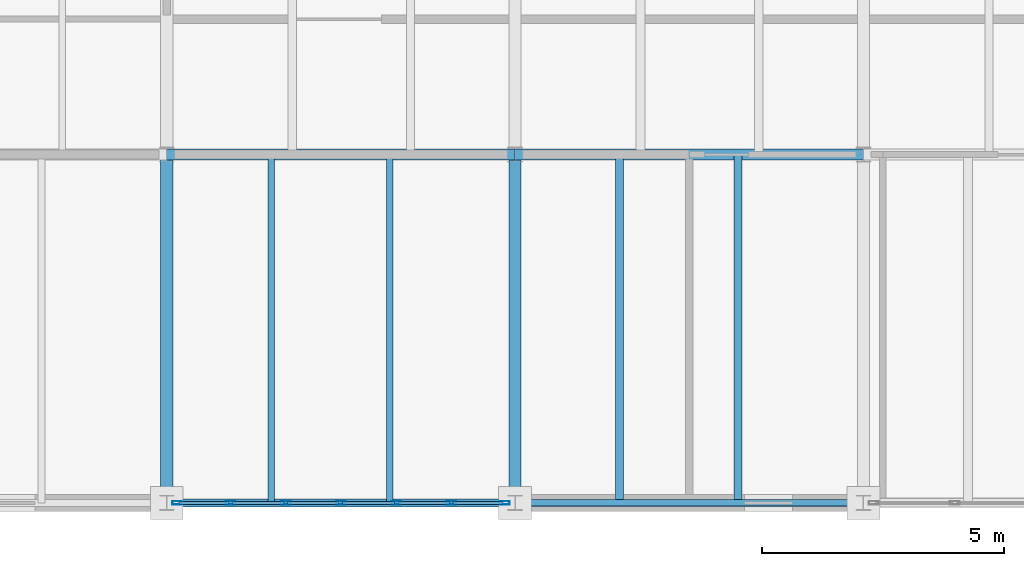
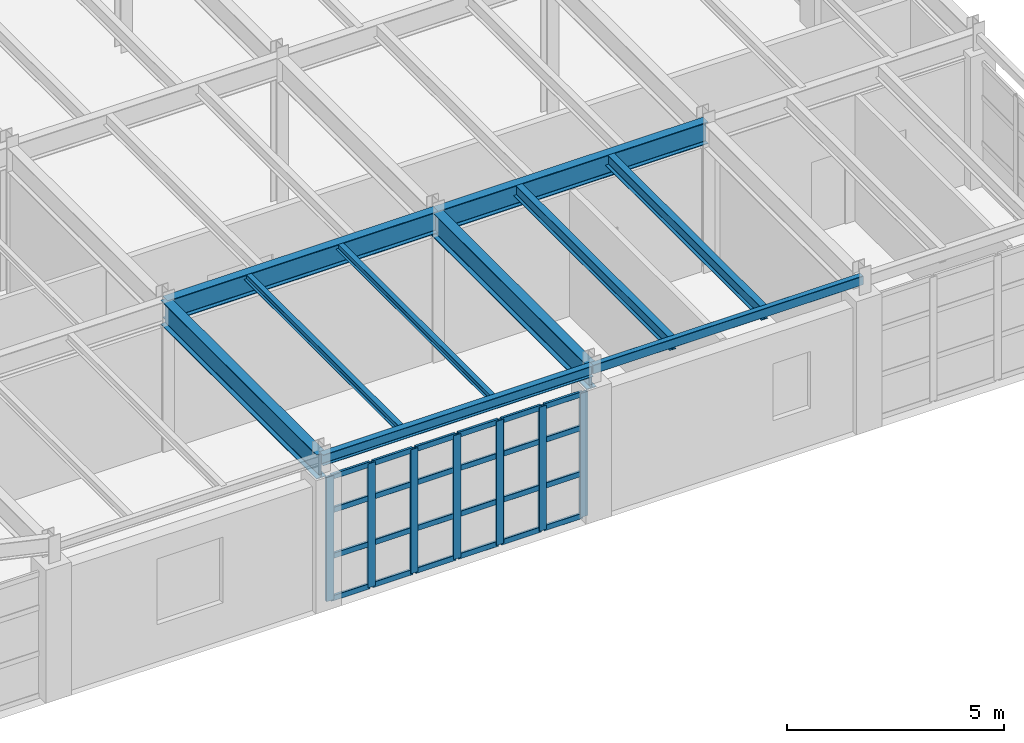
# One storey, part 92 of 137: 31 members, 10 beams, 1 element without a shape of its own.
"""IFC4 building model written with IfcOpenShell, lengths in metres."""

from ifc_helpers import new_model, si_unit, direction, frame, origin, origin_2d, place, context, subcontext, project, spatial, hollow_rectangle, i_section, extrude, material, layer, layer_set, material_profile, profile_set, type_object, element, aggregate, save


model = new_model("IFC4")

# Units and contexts
model_context = context("Model", 3, precision=1e-05, world=origin(), true_north=direction((0.0, 1.0)))
body_context = subcontext(model_context, "Body", "Model", "MODEL_VIEW")
ifc_project = project(units=[si_unit("LENGTHUNIT", "METRE"), si_unit("AREAUNIT", "SQUARE_METRE"), si_unit("VOLUMEUNIT", "CUBIC_METRE"), si_unit("PLANEANGLEUNIT", "RADIAN"), si_unit("MASSUNIT", "GRAM", prefix="KILO")], contexts=[model_context])

# Site, building, storey
site_placement = place(None, origin())
site = spatial("IfcSite", under=ifc_project, at=site_placement, CompositionType="ELEMENT")
building_placement = place(site_placement, origin())
building = spatial("IfcBuilding", under=site, at=building_placement, Name="Kemerveld Promenade Tramway Depot", CompositionType="ELEMENT")
storey_placement = place(building_placement, frame((0.0, 0.0, 5.39990234375)))
storey = spatial("IfcBuildingStorey", under=building, at=storey_placement, Name="L01", CompositionType="ELEMENT", Elevation=5.39990234375)

# Beams
ifc_material_1 = material(Name="Steel S355", Category="steel")
ifc_material_profile_1 = material_profile(ifc_material_1, i_section(OverallWidth=0.25439453125, OverallDepth=0.6875, WebThickness=0.01318359375, FlangeThickness=0.02099609375, FilletRadius=0.01513671875, at=origin_2d()), Name="686x254x152 UB")
ifc_profile_set_1 = profile_set([ifc_material_profile_1], Name="Steel S355")
beam_type_1 = type_object("IfcBeamType", Name="BM-G03", PredefinedType="BEAM", material=ifc_profile_set_1)
for number, where, z_axis, x_axis, name in (
    (1, (194.39990234375, 0.0, 3.856201171875), (0.0, 1.0, 0.0), (-1.0, 0.0, 0.0), "BMY-L01-28-A-B"),
    (2, (201.60009765625, 0.0, 3.856201171875), (0.0, 1.0, 0.0), (-1.0, 0.0, 0.0), "BMY-L01-29-A-B"),
):
    element("IfcBeam", number, at=place(storey_placement, frame(where, z_axis=z_axis, x_axis=x_axis)), inside=storey, type_object=beam_type_1, Name=name, PredefinedType="BEAM", context=body_context, shape_type="SweptSolid", body=[
        extrude(i_section(OverallWidth=0.25439453125, OverallDepth=0.6875, WebThickness=0.01318359375, FlangeThickness=0.02099609375, FilletRadius=0.01513671875, at=origin_2d()), origin(), (0.0, 0.0, 1.0), 7.199951171875),
    ])
ifc_material_profile_2 = material_profile(ifc_material_1, i_section(OverallWidth=0.22900390625, OverallDepth=0.6123046875, WebThickness=0.011962890625, FlangeThickness=0.01953125, FilletRadius=0.0126953125, at=origin_2d()), Name="610x229x125 UB")
ifc_profile_set_2 = profile_set([ifc_material_profile_2], Name="Steel S355")
beam_type_2 = type_object("IfcBeamType", Name="BM-G04", PredefinedType="BEAM", material=ifc_profile_set_2)
beam_1_placement = place(storey_placement, frame((194.39990234375, 7.199951171875, 3.89404296875), z_axis=(1.0, 0.0, 0.0), x_axis=(0.0, 1.0, 0.0)))
element("IfcBeam", 3, at=beam_1_placement, inside=storey, type_object=beam_type_2, Name="BMX-L01-28-29-B", PredefinedType="BEAM", context=body_context, shape_type="SweptSolid", body=[
    extrude(i_section(OverallWidth=0.22900390625, OverallDepth=0.6123046875, WebThickness=0.011962890625, FlangeThickness=0.01953125, FilletRadius=0.0126953125, at=origin_2d()), origin(), (0.0, 0.0, 1.0), 7.2001953125),
])
beam_2_placement = place(storey_placement, frame((201.60009765625, 7.199951171875, 3.89404296875), z_axis=(1.0, 0.0, 0.0), x_axis=(0.0, 1.0, 0.0)))
element("IfcBeam", 4, at=beam_2_placement, inside=storey, type_object=beam_type_2, Name="BMX-L01-29-30-B", PredefinedType="BEAM", context=body_context, shape_type="SweptSolid", body=[
    extrude(i_section(OverallWidth=0.22900390625, OverallDepth=0.6123046875, WebThickness=0.011962890625, FlangeThickness=0.01953125, FilletRadius=0.0126953125, at=origin_2d()), origin(), (0.0, 0.0, 1.0), 7.199951171875),
])
ifc_material_profile_3 = material_profile(ifc_material_1, i_section(OverallWidth=0.165771484375, OverallDepth=0.306640625, WebThickness=0.006591796875, FlangeThickness=0.01171875, FilletRadius=0.0087890625, at=origin_2d()), Name="305x165x46 UB")
ifc_profile_set_3 = profile_set([ifc_material_profile_3], Name="Steel S355")
beam_type_3 = type_object("IfcBeamType", Name="BM-G16", PredefinedType="BEAM", material=ifc_profile_set_3)
beam_3_placement = place(storey_placement, frame((194.39990234375, 0.0, 4.046875), z_axis=(1.0, 0.0, 0.0), x_axis=(0.0, 1.0, 0.0)))
element("IfcBeam", 5, at=beam_3_placement, inside=storey, type_object=beam_type_3, Name="BMX-L01-28-29-A", PredefinedType="BEAM", context=body_context, shape_type="SweptSolid", body=[
    extrude(i_section(OverallWidth=0.165771484375, OverallDepth=0.306640625, WebThickness=0.006591796875, FlangeThickness=0.01171875, FilletRadius=0.0087890625, at=origin_2d()), origin(), (0.0, 0.0, 1.0), 7.2001953125),
])
ifc_material_profile_4 = material_profile(ifc_material_1, hollow_rectangle(XDim=0.14990234375, YDim=0.25, WallThickness=0.010009765625, InnerFilletRadius=0.0048828125, OuterFilletRadius=0.014892578125, at=origin_2d()), Name="250x150x10.0 RHS")
ifc_profile_set_4 = profile_set([ifc_material_profile_4], Name="Steel S355")
beam_type_4 = type_object("IfcBeamType", Name="BM-G17", PredefinedType="BEAM", material=ifc_profile_set_4)
beam_4_placement = place(storey_placement, frame((201.60009765625, 0.0, 4.0751953125), z_axis=(1.0, 0.0, 0.0), x_axis=(0.0, 1.0, 0.0)))
element("IfcBeam", 6, at=beam_4_placement, inside=storey, type_object=beam_type_4, Name="BMX-L01-29-30-A", PredefinedType="BEAM", context=body_context, shape_type="SweptSolid", body=[
    extrude(hollow_rectangle(XDim=0.14990234375, YDim=0.25, WallThickness=0.010009765625, InnerFilletRadius=0.0048828125, OuterFilletRadius=0.014892578125, at=origin_2d()), origin(), (0.0, 0.0, 1.0), 7.199951171875),
])
ifc_material_profile_5 = material_profile(ifc_material_1, i_section(OverallWidth=0.13330078125, OverallDepth=0.203125, WebThickness=0.005615234375, FlangeThickness=0.0078125, FilletRadius=0.007568359375, at=origin_2d()), Name="203x133x25 UB")
ifc_profile_set_5 = profile_set([ifc_material_profile_5], Name="Steel S355")
beam_type_5 = type_object("IfcBeamType", Name="BM-J03", PredefinedType="JOIST", material=ifc_profile_set_5)
for number, where, z_axis, x_axis, name in (
    (7, (196.56005859375, 0.0, 4.098388671875), (0.0, 1.0, 0.0), (-1.0, 0.0, 0.0), "JST-L01-28-A-1"),
    (8, (199.008056640625, 0.0, 4.098388671875), (0.0, 1.0, 0.0), (-1.0, 0.0, 0.0), "JST-L01-28-A-2"),
):
    element("IfcBeam", number, at=place(storey_placement, frame(where, z_axis=z_axis, x_axis=x_axis)), inside=storey, type_object=beam_type_5, Name=name, PredefinedType="JOIST", context=body_context, shape_type="SweptSolid", body=[
        extrude(i_section(OverallWidth=0.13330078125, OverallDepth=0.203125, WebThickness=0.005615234375, FlangeThickness=0.0078125, FilletRadius=0.007568359375, at=origin_2d()), origin(), (0.0, 0.0, 1.0), 7.199951171875),
    ])
ifc_material_profile_6 = material_profile(ifc_material_1, i_section(OverallWidth=0.172119140625, OverallDepth=0.35791015625, WebThickness=0.008056640625, FlangeThickness=0.012939453125, FilletRadius=0.01025390625, at=origin_2d()), Name="356x171x57 UB")
ifc_profile_set_6 = profile_set([ifc_material_profile_6], Name="Steel S355")
beam_type_6 = type_object("IfcBeamType", Name="BM-J04", PredefinedType="JOIST", material=ifc_profile_set_6)
for number, where, z_axis, x_axis, name in (
    (9, (203.760009765625, 0.0, 4.02099609375), (0.0, 1.0, 0.0), (-1.0, 0.0, 0.0), "JST-L01-29-A-1"),
    (10, (206.2080078125, 0.0, 4.02099609375), (0.0, 1.0, 0.0), (-1.0, 0.0, 0.0), "JST-L01-29-A-2"),
):
    element("IfcBeam", number, at=place(storey_placement, frame(where, z_axis=z_axis, x_axis=x_axis)), inside=storey, type_object=beam_type_6, Name=name, PredefinedType="JOIST", context=body_context, shape_type="SweptSolid", body=[
        extrude(i_section(OverallWidth=0.172119140625, OverallDepth=0.35791015625, WebThickness=0.008056640625, FlangeThickness=0.012939453125, FilletRadius=0.01025390625, at=origin_2d()), origin(), (0.0, 0.0, 1.0), 7.199951171875),
    ])

# Curtain wall, members
ifc_material_2 = material(Name="Bronze anodised aluminium and solar glass", Category="aluminium")
ifc_layer = layer(ifc_material_2, 0.199951171875)
ifc_layer_set = layer_set([ifc_layer], Name="CW-SYS-06")
curtain_wall_type = type_object("IfcCurtainWallType", Name="CW-SYS-06", PredefinedType="USERDEFINED", material=ifc_layer_set)
curtain_wall_placement = place(storey_placement, origin())
curtain_wall = element("IfcCurtainWall", 11, at=curtain_wall_placement, inside=storey, type_object=curtain_wall_type, Name="CW-L01-V2S-03", ObjectType="GLAZED_CURTAIN_WALL", PredefinedType="USERDEFINED")
ifc_material_3 = material(Name="Bronze anodised aluminium", Category="aluminium")
ifc_material_profile_7 = material_profile(ifc_material_3, hollow_rectangle(XDim=0.074951171875, YDim=0.199951171875, WallThickness=0.0048828125, InnerFilletRadius=0.001953125, OuterFilletRadius=0.0048828125, at=origin_2d()), Name="CW-MUL-200x75")
ifc_profile_set_7 = profile_set([ifc_material_profile_7], Name="Bronze anodised aluminium")
member_type_1 = type_object("IfcMemberType", Name="CW-MUL-B", PredefinedType="MULLION", material=ifc_profile_set_7)
member_1_placement = place(storey_placement, frame((201.38525390625, 0.0, 0.0), z_axis=(0.0, 0.0, 1.0), x_axis=(0.0, -1.0, 0.0)))
member_1 = element("IfcMember", 12, at=member_1_placement, type_object=member_type_1, Name="CW06 mullion 1", PredefinedType="MULLION", context=body_context, shape_type="SweptSolid", body=[
    extrude(hollow_rectangle(XDim=0.074951171875, YDim=0.199951171875, WallThickness=0.0048828125, InnerFilletRadius=0.001953125, OuterFilletRadius=0.0048828125, at=origin_2d()), origin(), (0.0, 0.0, 1.0), 3.49267578125),
])
member_2_placement = place(storey_placement, frame((200.281982421875, 0.0, 0.0), z_axis=(0.0, 0.0, 1.0), x_axis=(0.0, -1.0, 0.0)))
member_2 = element("IfcMember", 13, at=member_2_placement, type_object=member_type_1, Name="CW06 mullion 2", PredefinedType="MULLION", context=body_context, shape_type="SweptSolid", body=[
    extrude(hollow_rectangle(XDim=0.074951171875, YDim=0.199951171875, WallThickness=0.0048828125, InnerFilletRadius=0.001953125, OuterFilletRadius=0.0048828125, at=origin_2d()), origin(), (0.0, 0.0, 1.0), 3.49267578125),
])
member_3_placement = place(storey_placement, frame((199.140869140625, 0.0, 0.0), z_axis=(0.0, 0.0, 1.0), x_axis=(0.0, -1.0, 0.0)))
member_3 = element("IfcMember", 14, at=member_3_placement, type_object=member_type_1, Name="CW06 mullion 3", PredefinedType="MULLION", context=body_context, shape_type="SweptSolid", body=[
    extrude(hollow_rectangle(XDim=0.074951171875, YDim=0.199951171875, WallThickness=0.0048828125, InnerFilletRadius=0.001953125, OuterFilletRadius=0.0048828125, at=origin_2d()), origin(), (0.0, 0.0, 1.0), 3.49267578125),
])
member_4_placement = place(storey_placement, frame((198.0, 0.0, 0.0), z_axis=(0.0, 0.0, 1.0), x_axis=(0.0, -1.0, 0.0)))
member_4 = element("IfcMember", 15, at=member_4_placement, type_object=member_type_1, Name="CW06 mullion 4", PredefinedType="MULLION", context=body_context, shape_type="SweptSolid", body=[
    extrude(hollow_rectangle(XDim=0.074951171875, YDim=0.199951171875, WallThickness=0.0048828125, InnerFilletRadius=0.001953125, OuterFilletRadius=0.0048828125, at=origin_2d()), origin(), (0.0, 0.0, 1.0), 3.49267578125),
])
member_5_placement = place(storey_placement, frame((196.859130859375, 0.0, 0.0), z_axis=(0.0, 0.0, 1.0), x_axis=(0.0, -1.0, 0.0)))
member_5 = element("IfcMember", 16, at=member_5_placement, type_object=member_type_1, Name="CW06 mullion 5", PredefinedType="MULLION", context=body_context, shape_type="SweptSolid", body=[
    extrude(hollow_rectangle(XDim=0.074951171875, YDim=0.199951171875, WallThickness=0.0048828125, InnerFilletRadius=0.001953125, OuterFilletRadius=0.0048828125, at=origin_2d()), origin(), (0.0, 0.0, 1.0), 3.49267578125),
])
member_6_placement = place(storey_placement, frame((195.718017578125, 0.0, 0.0), z_axis=(0.0, 0.0, 1.0), x_axis=(0.0, -1.0, 0.0)))
member_6 = element("IfcMember", 17, at=member_6_placement, type_object=member_type_1, Name="CW06 mullion 6", PredefinedType="MULLION", context=body_context, shape_type="SweptSolid", body=[
    extrude(hollow_rectangle(XDim=0.074951171875, YDim=0.199951171875, WallThickness=0.0048828125, InnerFilletRadius=0.001953125, OuterFilletRadius=0.0048828125, at=origin_2d()), origin(), (0.0, 0.0, 1.0), 3.49267578125),
])
member_7_placement = place(storey_placement, frame((194.61474609375, 0.0, 0.0), z_axis=(0.0, 0.0, 1.0), x_axis=(0.0, -1.0, 0.0)))
member_7 = element("IfcMember", 18, at=member_7_placement, type_object=member_type_1, Name="CW06 mullion 7", PredefinedType="MULLION", context=body_context, shape_type="SweptSolid", body=[
    extrude(hollow_rectangle(XDim=0.074951171875, YDim=0.199951171875, WallThickness=0.0048828125, InnerFilletRadius=0.001953125, OuterFilletRadius=0.0048828125, at=origin_2d()), origin(), (0.0, 0.0, 1.0), 3.49267578125),
])
ifc_material_profile_8 = material_profile(ifc_material_3, hollow_rectangle(XDim=0.06494140625, YDim=0.14990234375, WallThickness=0.00439453125, InnerFilletRadius=0.001953125, OuterFilletRadius=0.00439453125, at=origin_2d()), Name="CW-TRN-150x65")
ifc_profile_set_8 = profile_set([ifc_material_profile_8], Name="Bronze anodised aluminium")
member_type_2 = type_object("IfcMemberType", Name="CW-TRN-B", PredefinedType="USERDEFINED", material=ifc_profile_set_8)
member_8_placement = place(storey_placement, frame((201.347900390625, 0.0, 0.03271484375), z_axis=(-1.0, 0.0, 0.0), x_axis=(0.0, -1.0, 0.0)))
member_8 = element("IfcMember", 19, at=member_8_placement, type_object=member_type_2, Name="CW06 transom 1.1", ObjectType="TRANSOM", PredefinedType="USERDEFINED", context=body_context, shape_type="SweptSolid", body=[
    extrude(hollow_rectangle(XDim=0.06494140625, YDim=0.14990234375, WallThickness=0.00439453125, InnerFilletRadius=0.001953125, OuterFilletRadius=0.00439453125, at=origin_2d()), origin(), (0.0, 0.0, 1.0), 1.028564453125),
])
member_9_placement = place(storey_placement, frame((201.347900390625, 0.0, 1.22216796875), z_axis=(-1.0, 0.0, 0.0), x_axis=(0.0, -1.0, 0.0)))
member_9 = element("IfcMember", 20, at=member_9_placement, type_object=member_type_2, Name="CW06 transom 1.2", ObjectType="TRANSOM", PredefinedType="USERDEFINED", context=body_context, shape_type="SweptSolid", body=[
    extrude(hollow_rectangle(XDim=0.06494140625, YDim=0.14990234375, WallThickness=0.00439453125, InnerFilletRadius=0.001953125, OuterFilletRadius=0.00439453125, at=origin_2d()), origin(), (0.0, 0.0, 1.0), 1.028564453125),
])
member_10_placement = place(storey_placement, frame((201.347900390625, 0.0, 2.51513671875), z_axis=(-1.0, 0.0, 0.0), x_axis=(0.0, -1.0, 0.0)))
member_10 = element("IfcMember", 21, at=member_10_placement, type_object=member_type_2, Name="CW06 transom 1.3", ObjectType="TRANSOM", PredefinedType="USERDEFINED", context=body_context, shape_type="SweptSolid", body=[
    extrude(hollow_rectangle(XDim=0.06494140625, YDim=0.14990234375, WallThickness=0.00439453125, InnerFilletRadius=0.001953125, OuterFilletRadius=0.00439453125, at=origin_2d()), origin(), (0.0, 0.0, 1.0), 1.028564453125),
])
member_11_placement = place(storey_placement, frame((201.347900390625, 0.0, 3.460205078125), z_axis=(-1.0, 0.0, 0.0), x_axis=(0.0, -1.0, 0.0)))
member_11 = element("IfcMember", 22, at=member_11_placement, type_object=member_type_2, Name="CW06 transom 1.4", ObjectType="TRANSOM", PredefinedType="USERDEFINED", context=body_context, shape_type="SweptSolid", body=[
    extrude(hollow_rectangle(XDim=0.06494140625, YDim=0.14990234375, WallThickness=0.00439453125, InnerFilletRadius=0.001953125, OuterFilletRadius=0.00439453125, at=origin_2d()), origin(), (0.0, 0.0, 1.0), 1.028564453125),
])
member_12_placement = place(storey_placement, frame((200.244384765625, 0.0, 0.03271484375), z_axis=(-1.0, 0.0, 0.0), x_axis=(0.0, -1.0, 0.0)))
member_12 = element("IfcMember", 23, at=member_12_placement, type_object=member_type_2, Name="CW06 transom 2.1", ObjectType="TRANSOM", PredefinedType="USERDEFINED", context=body_context, shape_type="SweptSolid", body=[
    extrude(hollow_rectangle(XDim=0.06494140625, YDim=0.14990234375, WallThickness=0.00439453125, InnerFilletRadius=0.001953125, OuterFilletRadius=0.00439453125, at=origin_2d()), origin(), (0.0, 0.0, 1.0), 1.06591796875),
])
member_13_placement = place(storey_placement, frame((200.244384765625, 0.0, 1.22216796875), z_axis=(-1.0, 0.0, 0.0), x_axis=(0.0, -1.0, 0.0)))
member_13 = element("IfcMember", 24, at=member_13_placement, type_object=member_type_2, Name="CW06 transom 2.2", ObjectType="TRANSOM", PredefinedType="USERDEFINED", context=body_context, shape_type="SweptSolid", body=[
    extrude(hollow_rectangle(XDim=0.06494140625, YDim=0.14990234375, WallThickness=0.00439453125, InnerFilletRadius=0.001953125, OuterFilletRadius=0.00439453125, at=origin_2d()), origin(), (0.0, 0.0, 1.0), 1.06591796875),
])
member_14_placement = place(storey_placement, frame((200.244384765625, 0.0, 2.51513671875), z_axis=(-1.0, 0.0, 0.0), x_axis=(0.0, -1.0, 0.0)))
member_14 = element("IfcMember", 25, at=member_14_placement, type_object=member_type_2, Name="CW06 transom 2.3", ObjectType="TRANSOM", PredefinedType="USERDEFINED", context=body_context, shape_type="SweptSolid", body=[
    extrude(hollow_rectangle(XDim=0.06494140625, YDim=0.14990234375, WallThickness=0.00439453125, InnerFilletRadius=0.001953125, OuterFilletRadius=0.00439453125, at=origin_2d()), origin(), (0.0, 0.0, 1.0), 1.06591796875),
])
member_15_placement = place(storey_placement, frame((200.244384765625, 0.0, 3.460205078125), z_axis=(-1.0, 0.0, 0.0), x_axis=(0.0, -1.0, 0.0)))
member_15 = element("IfcMember", 26, at=member_15_placement, type_object=member_type_2, Name="CW06 transom 2.4", ObjectType="TRANSOM", PredefinedType="USERDEFINED", context=body_context, shape_type="SweptSolid", body=[
    extrude(hollow_rectangle(XDim=0.06494140625, YDim=0.14990234375, WallThickness=0.00439453125, InnerFilletRadius=0.001953125, OuterFilletRadius=0.00439453125, at=origin_2d()), origin(), (0.0, 0.0, 1.0), 1.06591796875),
])
member_16_placement = place(storey_placement, frame((199.103515625, 0.0, 0.03271484375), z_axis=(-1.0, 0.0, 0.0), x_axis=(0.0, -1.0, 0.0)))
member_16 = element("IfcMember", 27, at=member_16_placement, type_object=member_type_2, Name="CW06 transom 3.1", ObjectType="TRANSOM", PredefinedType="USERDEFINED", context=body_context, shape_type="SweptSolid", body=[
    extrude(hollow_rectangle(XDim=0.06494140625, YDim=0.14990234375, WallThickness=0.00439453125, InnerFilletRadius=0.001953125, OuterFilletRadius=0.00439453125, at=origin_2d()), origin(), (0.0, 0.0, 1.0), 1.06591796875),
])
member_17_placement = place(storey_placement, frame((199.103515625, 0.0, 1.22216796875), z_axis=(-1.0, 0.0, 0.0), x_axis=(0.0, -1.0, 0.0)))
member_17 = element("IfcMember", 28, at=member_17_placement, type_object=member_type_2, Name="CW06 transom 3.2", ObjectType="TRANSOM", PredefinedType="USERDEFINED", context=body_context, shape_type="SweptSolid", body=[
    extrude(hollow_rectangle(XDim=0.06494140625, YDim=0.14990234375, WallThickness=0.00439453125, InnerFilletRadius=0.001953125, OuterFilletRadius=0.00439453125, at=origin_2d()), origin(), (0.0, 0.0, 1.0), 1.06591796875),
])
member_18_placement = place(storey_placement, frame((199.103515625, 0.0, 2.51513671875), z_axis=(-1.0, 0.0, 0.0), x_axis=(0.0, -1.0, 0.0)))
member_18 = element("IfcMember", 29, at=member_18_placement, type_object=member_type_2, Name="CW06 transom 3.3", ObjectType="TRANSOM", PredefinedType="USERDEFINED", context=body_context, shape_type="SweptSolid", body=[
    extrude(hollow_rectangle(XDim=0.06494140625, YDim=0.14990234375, WallThickness=0.00439453125, InnerFilletRadius=0.001953125, OuterFilletRadius=0.00439453125, at=origin_2d()), origin(), (0.0, 0.0, 1.0), 1.06591796875),
])
member_19_placement = place(storey_placement, frame((199.103515625, 0.0, 3.460205078125), z_axis=(-1.0, 0.0, 0.0), x_axis=(0.0, -1.0, 0.0)))
member_19 = element("IfcMember", 30, at=member_19_placement, type_object=member_type_2, Name="CW06 transom 3.4", ObjectType="TRANSOM", PredefinedType="USERDEFINED", context=body_context, shape_type="SweptSolid", body=[
    extrude(hollow_rectangle(XDim=0.06494140625, YDim=0.14990234375, WallThickness=0.00439453125, InnerFilletRadius=0.001953125, OuterFilletRadius=0.00439453125, at=origin_2d()), origin(), (0.0, 0.0, 1.0), 1.06591796875),
])
member_20_placement = place(storey_placement, frame((197.96240234375, 0.0, 0.03271484375), z_axis=(-1.0, 0.0, 0.0), x_axis=(0.0, -1.0, 0.0)))
member_20 = element("IfcMember", 31, at=member_20_placement, type_object=member_type_2, Name="CW06 transom 4.1", ObjectType="TRANSOM", PredefinedType="USERDEFINED", context=body_context, shape_type="SweptSolid", body=[
    extrude(hollow_rectangle(XDim=0.06494140625, YDim=0.14990234375, WallThickness=0.00439453125, InnerFilletRadius=0.001953125, OuterFilletRadius=0.00439453125, at=origin_2d()), origin(), (0.0, 0.0, 1.0), 1.06591796875),
])
member_21_placement = place(storey_placement, frame((197.96240234375, 0.0, 1.22216796875), z_axis=(-1.0, 0.0, 0.0), x_axis=(0.0, -1.0, 0.0)))
member_21 = element("IfcMember", 32, at=member_21_placement, type_object=member_type_2, Name="CW06 transom 4.2", ObjectType="TRANSOM", PredefinedType="USERDEFINED", context=body_context, shape_type="SweptSolid", body=[
    extrude(hollow_rectangle(XDim=0.06494140625, YDim=0.14990234375, WallThickness=0.00439453125, InnerFilletRadius=0.001953125, OuterFilletRadius=0.00439453125, at=origin_2d()), origin(), (0.0, 0.0, 1.0), 1.06591796875),
])
member_22_placement = place(storey_placement, frame((197.96240234375, 0.0, 2.51513671875), z_axis=(-1.0, 0.0, 0.0), x_axis=(0.0, -1.0, 0.0)))
member_22 = element("IfcMember", 33, at=member_22_placement, type_object=member_type_2, Name="CW06 transom 4.3", ObjectType="TRANSOM", PredefinedType="USERDEFINED", context=body_context, shape_type="SweptSolid", body=[
    extrude(hollow_rectangle(XDim=0.06494140625, YDim=0.14990234375, WallThickness=0.00439453125, InnerFilletRadius=0.001953125, OuterFilletRadius=0.00439453125, at=origin_2d()), origin(), (0.0, 0.0, 1.0), 1.06591796875),
])
member_23_placement = place(storey_placement, frame((197.96240234375, 0.0, 3.460205078125), z_axis=(-1.0, 0.0, 0.0), x_axis=(0.0, -1.0, 0.0)))
member_23 = element("IfcMember", 34, at=member_23_placement, type_object=member_type_2, Name="CW06 transom 4.4", ObjectType="TRANSOM", PredefinedType="USERDEFINED", context=body_context, shape_type="SweptSolid", body=[
    extrude(hollow_rectangle(XDim=0.06494140625, YDim=0.14990234375, WallThickness=0.00439453125, InnerFilletRadius=0.001953125, OuterFilletRadius=0.00439453125, at=origin_2d()), origin(), (0.0, 0.0, 1.0), 1.06591796875),
])
member_24_placement = place(storey_placement, frame((196.821533203125, 0.0, 0.03271484375), z_axis=(-1.0, 0.0, 0.0), x_axis=(0.0, -1.0, 0.0)))
member_24 = element("IfcMember", 35, at=member_24_placement, type_object=member_type_2, Name="CW06 transom 5.1", ObjectType="TRANSOM", PredefinedType="USERDEFINED", context=body_context, shape_type="SweptSolid", body=[
    extrude(hollow_rectangle(XDim=0.06494140625, YDim=0.14990234375, WallThickness=0.00439453125, InnerFilletRadius=0.001953125, OuterFilletRadius=0.00439453125, at=origin_2d()), origin(), (0.0, 0.0, 1.0), 1.06591796875),
])
member_25_placement = place(storey_placement, frame((196.821533203125, 0.0, 1.22216796875), z_axis=(-1.0, 0.0, 0.0), x_axis=(0.0, -1.0, 0.0)))
member_25 = element("IfcMember", 36, at=member_25_placement, type_object=member_type_2, Name="CW06 transom 5.2", ObjectType="TRANSOM", PredefinedType="USERDEFINED", context=body_context, shape_type="SweptSolid", body=[
    extrude(hollow_rectangle(XDim=0.06494140625, YDim=0.14990234375, WallThickness=0.00439453125, InnerFilletRadius=0.001953125, OuterFilletRadius=0.00439453125, at=origin_2d()), origin(), (0.0, 0.0, 1.0), 1.06591796875),
])
member_26_placement = place(storey_placement, frame((196.821533203125, 0.0, 2.51513671875), z_axis=(-1.0, 0.0, 0.0), x_axis=(0.0, -1.0, 0.0)))
member_26 = element("IfcMember", 37, at=member_26_placement, type_object=member_type_2, Name="CW06 transom 5.3", ObjectType="TRANSOM", PredefinedType="USERDEFINED", context=body_context, shape_type="SweptSolid", body=[
    extrude(hollow_rectangle(XDim=0.06494140625, YDim=0.14990234375, WallThickness=0.00439453125, InnerFilletRadius=0.001953125, OuterFilletRadius=0.00439453125, at=origin_2d()), origin(), (0.0, 0.0, 1.0), 1.06591796875),
])
member_27_placement = place(storey_placement, frame((196.821533203125, 0.0, 3.460205078125), z_axis=(-1.0, 0.0, 0.0), x_axis=(0.0, -1.0, 0.0)))
member_27 = element("IfcMember", 38, at=member_27_placement, type_object=member_type_2, Name="CW06 transom 5.4", ObjectType="TRANSOM", PredefinedType="USERDEFINED", context=body_context, shape_type="SweptSolid", body=[
    extrude(hollow_rectangle(XDim=0.06494140625, YDim=0.14990234375, WallThickness=0.00439453125, InnerFilletRadius=0.001953125, OuterFilletRadius=0.00439453125, at=origin_2d()), origin(), (0.0, 0.0, 1.0), 1.06591796875),
])
member_28_placement = place(storey_placement, frame((195.6806640625, 0.0, 0.03271484375), z_axis=(-1.0, 0.0, 0.0), x_axis=(0.0, -1.0, 0.0)))
member_28 = element("IfcMember", 39, at=member_28_placement, type_object=member_type_2, Name="CW06 transom 6.1", ObjectType="TRANSOM", PredefinedType="USERDEFINED", context=body_context, shape_type="SweptSolid", body=[
    extrude(hollow_rectangle(XDim=0.06494140625, YDim=0.14990234375, WallThickness=0.00439453125, InnerFilletRadius=0.001953125, OuterFilletRadius=0.00439453125, at=origin_2d()), origin(), (0.0, 0.0, 1.0), 1.028564453125),
])
member_29_placement = place(storey_placement, frame((195.6806640625, 0.0, 1.22216796875), z_axis=(-1.0, 0.0, 0.0), x_axis=(0.0, -1.0, 0.0)))
member_29 = element("IfcMember", 40, at=member_29_placement, type_object=member_type_2, Name="CW06 transom 6.2", ObjectType="TRANSOM", PredefinedType="USERDEFINED", context=body_context, shape_type="SweptSolid", body=[
    extrude(hollow_rectangle(XDim=0.06494140625, YDim=0.14990234375, WallThickness=0.00439453125, InnerFilletRadius=0.001953125, OuterFilletRadius=0.00439453125, at=origin_2d()), origin(), (0.0, 0.0, 1.0), 1.028564453125),
])
member_30_placement = place(storey_placement, frame((195.6806640625, 0.0, 2.51513671875), z_axis=(-1.0, 0.0, 0.0), x_axis=(0.0, -1.0, 0.0)))
member_30 = element("IfcMember", 41, at=member_30_placement, type_object=member_type_2, Name="CW06 transom 6.3", ObjectType="TRANSOM", PredefinedType="USERDEFINED", context=body_context, shape_type="SweptSolid", body=[
    extrude(hollow_rectangle(XDim=0.06494140625, YDim=0.14990234375, WallThickness=0.00439453125, InnerFilletRadius=0.001953125, OuterFilletRadius=0.00439453125, at=origin_2d()), origin(), (0.0, 0.0, 1.0), 1.028564453125),
])
member_31_placement = place(storey_placement, frame((195.6806640625, 0.0, 3.460205078125), z_axis=(-1.0, 0.0, 0.0), x_axis=(0.0, -1.0, 0.0)))
member_31 = element("IfcMember", 42, at=member_31_placement, type_object=member_type_2, Name="CW06 transom 6.4", ObjectType="TRANSOM", PredefinedType="USERDEFINED", context=body_context, shape_type="SweptSolid", body=[
    extrude(hollow_rectangle(XDim=0.06494140625, YDim=0.14990234375, WallThickness=0.00439453125, InnerFilletRadius=0.001953125, OuterFilletRadius=0.00439453125, at=origin_2d()), origin(), (0.0, 0.0, 1.0), 1.028564453125),
])
aggregate(curtain_wall, [member_1, member_2, member_3, member_4, member_5, member_6, member_7, member_8, member_9, member_10, member_11, member_12, member_13, member_14, member_15, member_16, member_17, member_18, member_19, member_20, member_21, member_22, member_23, member_24, member_25, member_26, member_27, member_28, member_29, member_30, member_31])

save(model, "model.ifc")
